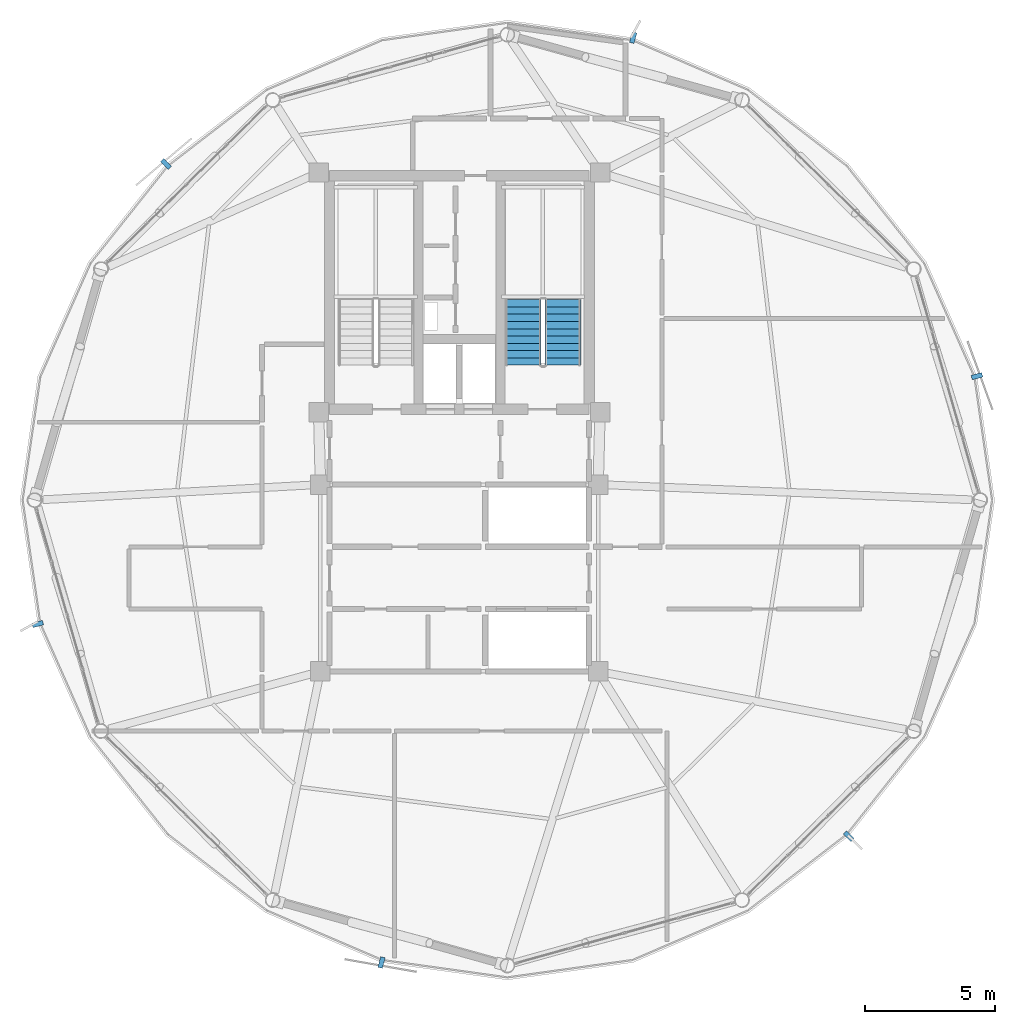
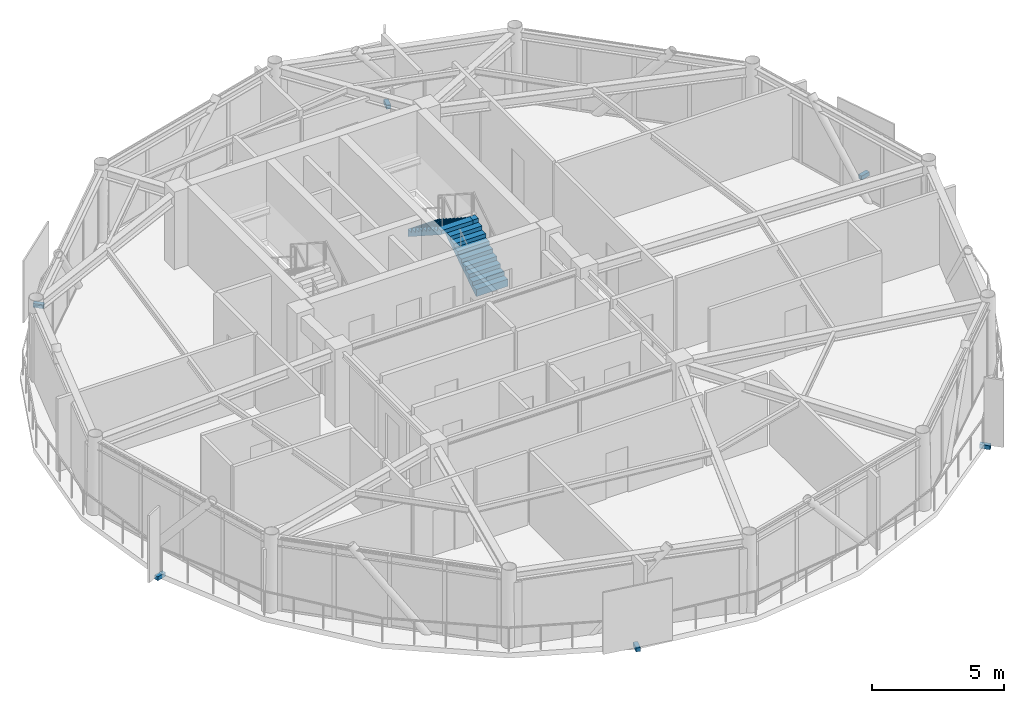
# One storey, part 23 of 27: 6 discrete accessories, 2 stair flights, 1 element without a shape of its own.
"""IFC4 building model written with IfcOpenShell, lengths in metres."""

import ifcopenshell
import ifcopenshell.guid

model = None  # the IFC model being written
_history = None  # IfcOwnerHistory: only IFC2X3 demands one
_inside = {}  # id of a spatial element -> (the spatial element, [elements in it])
_under = {}  # id of a project, library or spatial element -> (it, [spatial elements below it])
_declared = {}  # id of a project -> (the project, [libraries it declares])
_typed = {}  # id of a type object -> (the type object, [elements of that type])
_made_of = {}  # id of a material, layer set ... -> (it, [elements and type objects made of it])


def new_model(schema):
    """Start an empty IFC model of exactly this schema.

    Asked for "IFC4X3", IfcOpenShell would pick the latest addendum, in which some entities
    have other attributes; the version numbers below select the first issue.
    IFC2X3 requires an IfcOwnerHistory on every rooted entity: one is made here for all.
    """
    global model, _history
    if schema == "IFC4X3":
        model = ifcopenshell.file(schema_version=(4, 3, 0, 0))
    else:
        model = ifcopenshell.file(schema=schema)
    _inside.clear()
    _under.clear()
    _declared.clear()
    _typed.clear()
    _made_of.clear()
    _history = None
    if model.schema == "IFC2X3":
        org = make("IfcOrganization", Name="unknown")
        user = make(
            "IfcPersonAndOrganization",
            ThePerson=make("IfcPerson", FamilyName="unknown"),
            TheOrganization=org,
        )
        app = make(
            "IfcApplication",
            ApplicationDeveloper=org,
            Version="unknown",
            ApplicationFullName="unknown",
            ApplicationIdentifier="unknown",
        )
        _history = make(
            "IfcOwnerHistory",
            OwningUser=user,
            OwningApplication=app,
            ChangeAction="ADDED",
            CreationDate=0,
        )
    return model


def make(cls, **values):
    """One entity of the class cls with the attributes given. An attribute that is None is left unset."""
    return model.create_entity(
        cls, **{name: value for name, value in values.items() if value is not None}
    )


def rooted(cls, **values):
    """An entity with a GlobalId (a new one), such as an element, a storey or a relation."""
    return make(cls, GlobalId=ifcopenshell.guid.new(), OwnerHistory=_history, **values)


def si_unit(unit_type, name, prefix=None):
    """IfcSIUnit, for example si_unit("LENGTHUNIT", "METRE", prefix="MILLI")."""
    return make("IfcSIUnit", UnitType=unit_type, Prefix=prefix, Name=name)


def assignment(units):
    """IfcUnitAssignment: the units of a project."""
    return None if units is None else make("IfcUnitAssignment", Units=units)


def point(xyz):
    """IfcCartesianPoint."""
    return None if xyz is None else make("IfcCartesianPoint", Coordinates=xyz)


def direction(xyz):
    """IfcDirection."""
    return None if xyz is None else make("IfcDirection", DirectionRatios=xyz)


def frame(location, z_axis=None, x_axis=None):
    """IfcAxis2Placement3D, a coordinate frame: its origin and axes. An axis left out is left unset."""
    return make(
        "IfcAxis2Placement3D",
        Location=point(location),
        Axis=direction(z_axis),
        RefDirection=direction(x_axis),
    )


def frame_2d(location, x_axis=None):
    """IfcAxis2Placement2D, a coordinate frame in the plane: its origin and x axis."""
    return make(
        "IfcAxis2Placement2D", Location=point(location), RefDirection=direction(x_axis)
    )


def origin():
    """The frame at (0, 0, 0) with its axes left unset."""
    return frame((0.0, 0.0, 0.0))


def origin_2d():
    """The frame at (0, 0) in the plane with its x axis left unset."""
    return frame_2d((0.0, 0.0))


def place(relative_to, where):
    """IfcLocalPlacement: puts the frame where relative to a parent placement (None: the world)."""
    return make(
        "IfcLocalPlacement", PlacementRelTo=relative_to, RelativePlacement=where
    )


def context(
    kind, dimensions, precision=None, world=None, true_north=None, identifier=None
):
    """IfcGeometricRepresentationContext, for example the 3D "Model" context."""
    return make(
        "IfcGeometricRepresentationContext",
        ContextIdentifier=identifier,
        ContextType=kind,
        CoordinateSpaceDimension=dimensions,
        Precision=precision,
        WorldCoordinateSystem=world,
        TrueNorth=true_north,
    )


def subcontext(parent, identifier, kind, view, scale=None):
    """IfcGeometricRepresentationSubContext, for example "Body" below "Model"."""
    return make(
        "IfcGeometricRepresentationSubContext",
        ContextIdentifier=identifier,
        ContextType=kind,
        ParentContext=parent,
        TargetScale=scale,
        TargetView=view,
    )


def project(units=None, contexts=None):
    """IfcProject with its units and contexts."""
    return rooted(
        "IfcProject",
        Name="project",
        RepresentationContexts=contexts,
        UnitsInContext=assignment(units),
    )


def spatial(cls, under=None, at=None, **own):
    """A site, building, storey or space (cls), placed at a placement, below another one or the project."""
    s = rooted(cls, ObjectPlacement=at, **own)
    if under is not None:
        _under.setdefault(under.id(), (under, []))[1].append(s)
    return s


def polyline(points):
    """IfcPolyline through the points."""
    return make("IfcPolyline", Points=[point(p) for p in points])


def profile(cls, at=None, kind="AREA", **sizes):
    """A parametric profile (cls). Its sizes go by their IFC names, for example OverallWidth=200.0."""
    return make(cls, ProfileType=kind, Position=at, **sizes)


def rectangle(**sizes):
    """IfcRectangleProfileDef."""
    return profile("IfcRectangleProfileDef", **sizes)


def outline(outer, holes=None, kind="AREA"):
    """IfcArbitraryClosedProfileDef: a profile drawn as a closed curve; with holes, ...WithVoids."""
    if holes is None:
        return make("IfcArbitraryClosedProfileDef", ProfileType=kind, OuterCurve=outer)
    return make(
        "IfcArbitraryProfileDefWithVoids",
        ProfileType=kind,
        OuterCurve=outer,
        InnerCurves=holes,
    )


def extrude(swept, where, along, depth):
    """IfcExtrudedAreaSolid: the profile swept, set in the frame where, extruded along a direction by depth."""
    return make(
        "IfcExtrudedAreaSolid",
        SweptArea=swept,
        Position=where,
        ExtrudedDirection=direction(along),
        Depth=depth,
    )


def shape(context_of_items, identifier, shape_type, items):
    """IfcShapeRepresentation: the items that make up one representation, for example the "Body"."""
    return make(
        "IfcShapeRepresentation",
        ContextOfItems=context_of_items,
        RepresentationIdentifier=identifier,
        RepresentationType=shape_type,
        Items=items,
    )


def source(mapping_origin, context_of_items, identifier, shape_type, items):
    """IfcRepresentationMap: a shape defined once, which mapped items show again and again."""
    return make(
        "IfcRepresentationMap",
        MappingOrigin=mapping_origin,
        MappedRepresentation=shape(context_of_items, identifier, shape_type, items),
    )


def transform(
    local_origin,
    x_axis=None,
    y_axis=None,
    z_axis=None,
    scale=None,
    scale2=None,
    scale3=None,
    uniform=True,
):
    """IfcCartesianTransformationOperator3D, or its non-uniform kind. x_axis, y_axis, z_axis: its Axis1, 2, 3."""
    if uniform:
        return make(
            "IfcCartesianTransformationOperator3D",
            Axis1=direction(x_axis),
            Axis2=direction(y_axis),
            LocalOrigin=point(local_origin),
            Scale=scale,
            Axis3=direction(z_axis),
        )
    return make(
        "IfcCartesianTransformationOperator3DnonUniform",
        Axis1=direction(x_axis),
        Axis2=direction(y_axis),
        LocalOrigin=point(local_origin),
        Scale=scale,
        Axis3=direction(z_axis),
        Scale2=scale2,
        Scale3=scale3,
    )


def mapped(mapping_source, mapping_target):
    """IfcMappedItem: shows the shape of a source again, moved by a transform."""
    return make(
        "IfcMappedItem", MappingSource=mapping_source, MappingTarget=mapping_target
    )


def material(Name=None, Category=None):
    """IfcMaterial."""
    return make("IfcMaterial", Name=Name, Category=Category)


def made_of(thing, what):
    """Note that an element or type object is made of a material, layer set ...; save() writes the relation."""
    if what is not None:
        _made_of.setdefault(what.id(), (what, []))[1].append(thing)
    return thing


def type_object(cls, material=None, **own):
    """A type object (cls), such as IfcWallType, which elements share."""
    return made_of(rooted(cls, **own), material)


def type_shapes(of_type, sources):
    """Give a type object the sources (RepresentationMaps) that its elements show as mapped items."""
    of_type.RepresentationMaps = sources


def element(
    cls,
    number,
    at=None,
    inside=None,
    cuts=None,
    type_object=None,
    material=None,
    context=None,
    identifier="Body",
    shape_type=None,
    held_by="IfcProductDefinitionShape",
    body=None,
    shapes=None,
    **own,
):
    """One element of the class cls, such as IfcWall. Its Tag is "e" and its number.

    at: its placement. inside: the storey or other place that contains it. cuts: it is an
    opening in that element (IfcRelVoidsElement). A single representation is given by context,
    identifier, shape_type and body (its items); several are given by shapes. held_by: the class
    of the entity that holds the representations. save() writes the other relations.
    """
    e = rooted(cls, Tag="e%d" % number, ObjectPlacement=at, **own)
    if body is not None:
        shapes = [shape(context, identifier, shape_type, body)]
    if shapes is not None:
        e.Representation = make(held_by, Representations=shapes)
    if inside is not None:
        _inside.setdefault(inside.id(), (inside, []))[1].append(e)
    if cuts is not None:
        rooted(
            "IfcRelVoidsElement", RelatingBuildingElement=cuts, RelatedOpeningElement=e
        )
    if type_object is not None:
        _typed.setdefault(type_object.id(), (type_object, []))[1].append(e)
    return made_of(e, material)


def aggregate(whole, parts):
    """IfcRelAggregates: a whole, such as a stair, and the parts it consists of."""
    return rooted("IfcRelAggregates", RelatingObject=whole, RelatedObjects=parts)


def save(model, path):
    """Write the relations noted so far, then the file.

    IfcRelAggregates (storeys below a building ...), IfcRelContainedInSpatialStructure (elements
    in a storey), IfcRelDefinesByType, IfcRelAssociatesMaterial and IfcRelDeclares: one each for
    every whole, place, type object, material and project.
    """
    for whole, parts in _under.values():
        aggregate(whole, parts)
    for where, things in _inside.values():
        rooted(
            "IfcRelContainedInSpatialStructure",
            RelatedElements=things,
            RelatingStructure=where,
        )
    for kind, things in _typed.values():
        rooted("IfcRelDefinesByType", RelatedObjects=things, RelatingType=kind)
    for what, things in _made_of.values():
        rooted("IfcRelAssociatesMaterial", RelatedObjects=things, RelatingMaterial=what)
    for by, libraries in _declared.values():
        rooted("IfcRelDeclares", RelatingContext=by, RelatedDefinitions=libraries)
    model.write(path)


model = new_model("IFC4")

# Units and contexts
model_context = context("Model", 3, precision=1e-05, world=origin(), true_north=direction((0.0, 1.0)))
body_context = subcontext(model_context, "Body", "Model", "MODEL_VIEW")
ifc_project = project(units=[si_unit("LENGTHUNIT", "METRE"), si_unit("AREAUNIT", "SQUARE_METRE"), si_unit("VOLUMEUNIT", "CUBIC_METRE"), si_unit("PLANEANGLEUNIT", "RADIAN"), si_unit("MASSUNIT", "GRAM", prefix="KILO")], contexts=[model_context])

# Site, building, storey
site_placement = place(None, origin())
site = spatial("IfcSite", under=ifc_project, at=site_placement, CompositionType="ELEMENT")
building_placement = place(site_placement, origin())
building = spatial("IfcBuilding", under=site, at=building_placement, Name="Varnakorn Sky Granary", CompositionType="ELEMENT")
storey_placement = place(building_placement, frame((0.0, 0.0, 263.39990234375)))
storey = spatial("IfcBuildingStorey", under=building, at=storey_placement, Name="L67", CompositionType="ELEMENT", Elevation=263.39990234375)

# Stair, stair flights
ifc_material_1 = material(Name="Concrete C40/50", Category="concrete")
stair_type = type_object("IfcStairType", Name="ST-MAIN-ASSEMBLY", PredefinedType="HALF_TURN_STAIR", material=ifc_material_1)
stair_placement = place(storey_placement, origin())
stair = element("IfcStair", 1, at=stair_placement, inside=storey, type_object=stair_type, Name="L67 Protected Exit Stair ST-2", PredefinedType="HALF_TURN_STAIR")
stair_flight_type = type_object("IfcStairFlightType", Name="ST-MAIN-FLIGHT", PredefinedType="STRAIGHT", material=ifc_material_1)
stair_flight_1_placement = place(storey_placement, frame((6.989990234375, 5.199951171875, 0.0), z_axis=(0.0, 0.0, 1.0), x_axis=(0.0, 1.0, 0.0)))
stair_flight_1 = element("IfcStairFlight", 2, at=stair_flight_1_placement, type_object=stair_flight_type, Name="ST-2 flight 1", NumberOfRisers=10, NumberOfTreads=9, PredefinedType="STRAIGHT", RiserHeight=0.18, TreadLength=0.28, context=body_context, shape_type="SweptSolid", body=[
    extrude(outline(polyline([(0.0, -0.14990234375), (0.0, 0.0), (0.0, 0.179931640625), (0.280029296875, 0.179931640625), (0.280029296875, 0.360107421875), (0.56005859375, 0.360107421875), (0.56005859375, 0.5400390625), (0.840087890625, 0.5400390625), (0.840087890625, 0.719970703125), (1.1201171875, 0.719970703125), (1.1201171875, 0.89990234375), (1.39990234375, 0.89990234375), (1.39990234375, 1.080078125), (1.679931640625, 1.080078125), (1.679931640625, 1.260009765625), (1.9599609375, 1.260009765625), (1.9599609375, 1.43994140625), (2.239990234375, 1.43994140625), (2.239990234375, 1.6201171875), (2.52001953125, 1.6201171875), (2.52001953125, 1.800048828125), (2.52001953125, 1.44189453125), (0.050048828125, -0.14990234375), (0.0, -0.14990234375)])), frame((0.0, 0.68994140625, 0.0), z_axis=(0.0, -1.0, 0.0), x_axis=(1.0, 0.0, 0.0)), (0.0, 0.0, 1.0), 1.3798828125),
])
stair_flight_2_placement = place(storey_placement, frame((5.4599609375, 7.719970703125, 1.800048828125), z_axis=(0.0, 0.0, 1.0), x_axis=(0.0, -1.0, 0.0)))
stair_flight_2 = element("IfcStairFlight", 3, at=stair_flight_2_placement, type_object=stair_flight_type, Name="ST-2 flight 2", NumberOfRisers=10, NumberOfTreads=9, PredefinedType="STRAIGHT", RiserHeight=0.18, TreadLength=0.28, context=body_context, shape_type="SweptSolid", body=[
    extrude(outline(polyline([(0.0, -0.14990234375), (0.0, 0.0), (0.0, 0.179931640625), (0.280029296875, 0.179931640625), (0.280029296875, 0.360107421875), (0.56005859375, 0.360107421875), (0.56005859375, 0.5400390625), (0.840087890625, 0.5400390625), (0.840087890625, 0.719970703125), (1.1201171875, 0.719970703125), (1.1201171875, 0.89990234375), (1.39990234375, 0.89990234375), (1.39990234375, 1.080078125), (1.679931640625, 1.080078125), (1.679931640625, 1.260009765625), (1.9599609375, 1.260009765625), (1.9599609375, 1.43994140625), (2.239990234375, 1.43994140625), (2.239990234375, 1.6201171875), (2.52001953125, 1.6201171875), (2.52001953125, 1.800048828125), (2.52001953125, 1.44189453125), (0.050048828125, -0.14990234375), (0.0, -0.14990234375)])), frame((0.0, 0.68994140625, 0.0), z_axis=(0.0, -1.0, 0.0), x_axis=(1.0, 0.0, 0.0)), (0.0, 0.0, 1.0), 1.3798828125),
])
aggregate(stair, [stair_flight_1, stair_flight_2])

# Discrete accessories
ifc_material_2 = material(Name="Steel S355JR", Category="steel")
discrete_accessory_type = type_object("IfcDiscreteAccessoryType", Name="AC-BRK-01", PredefinedType="BRACKET", material=ifc_material_2)
shared_shape = source(origin(), body_context, "Body", "SweptSolid", [
    extrude(rectangle(XDim=0.179931640625, YDim=0.419921875, at=origin_2d()), origin(), (0.0, 0.0, 1.0), 0.179931640625),
])
type_shapes(discrete_accessory_type, [shared_shape])
for number, where, z_axis, x_axis, name in (
    (4, (22.94091796875, 4.772705078125, -0.19970703125), (0.0, 0.0, 1.0), (-0.255090070385, 0.966917295321, 0.0), "Facade Solar-Screen Outrigger Bracket L67-01"),
    (5, (9.697998046875, 17.8134765625, -0.19970703125), (0.0, 0.0, 1.0), (-0.964905479027, 0.262597441998, 0.0), "Facade Solar-Screen Outrigger Bracket L67-03"),
    (6, (-8.298583984375, 12.9443359375, -0.19970703125), (0.0, 0.0, 1.0), (-0.701550813443, -0.712619432907, 0.0), "Facade Solar-Screen Outrigger Bracket L67-05"),
    (7, (-13.240966796875, -4.772705078125, -0.19970703125), (0.0, 0.0, 1.0), (0.255090070385, -0.966917295321, 0.0), "Facade Solar-Screen Outrigger Bracket L67-07"),
    (8, (0.002197265625, -17.8134765625, -0.19970703125), (0.0, 0.0, 1.0), (0.964905479027, -0.262597441998, 0.0), "Facade Solar-Screen Outrigger Bracket L67-09"),
    (9, (17.99853515625, -12.9443359375, -0.19970703125), (0.0, 0.0, 1.0), (0.701550813443, 0.712619432907, 0.0), "Facade Solar-Screen Outrigger Bracket L67-11"),
):
    element("IfcDiscreteAccessory", number, at=place(storey_placement, frame(where, z_axis=z_axis, x_axis=x_axis)), inside=storey, type_object=discrete_accessory_type, Name=name, PredefinedType="BRACKET", context=body_context, shape_type="MappedRepresentation", body=[
        mapped(shared_shape, transform((0.0, 0.0, 0.0), x_axis=(1.0, 0.0, 0.0), y_axis=(0.0, 1.0, 0.0), z_axis=(0.0, 0.0, 1.0), scale=1.0)),
    ])

save(model, "model.ifc")
